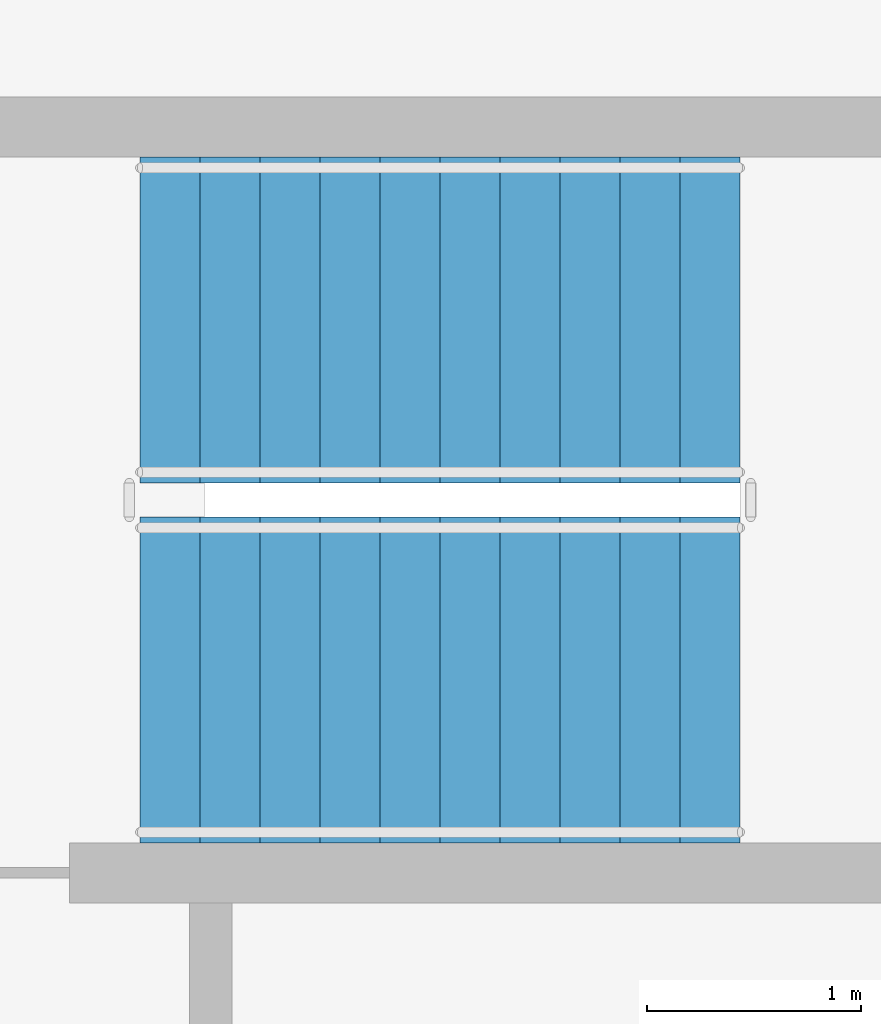
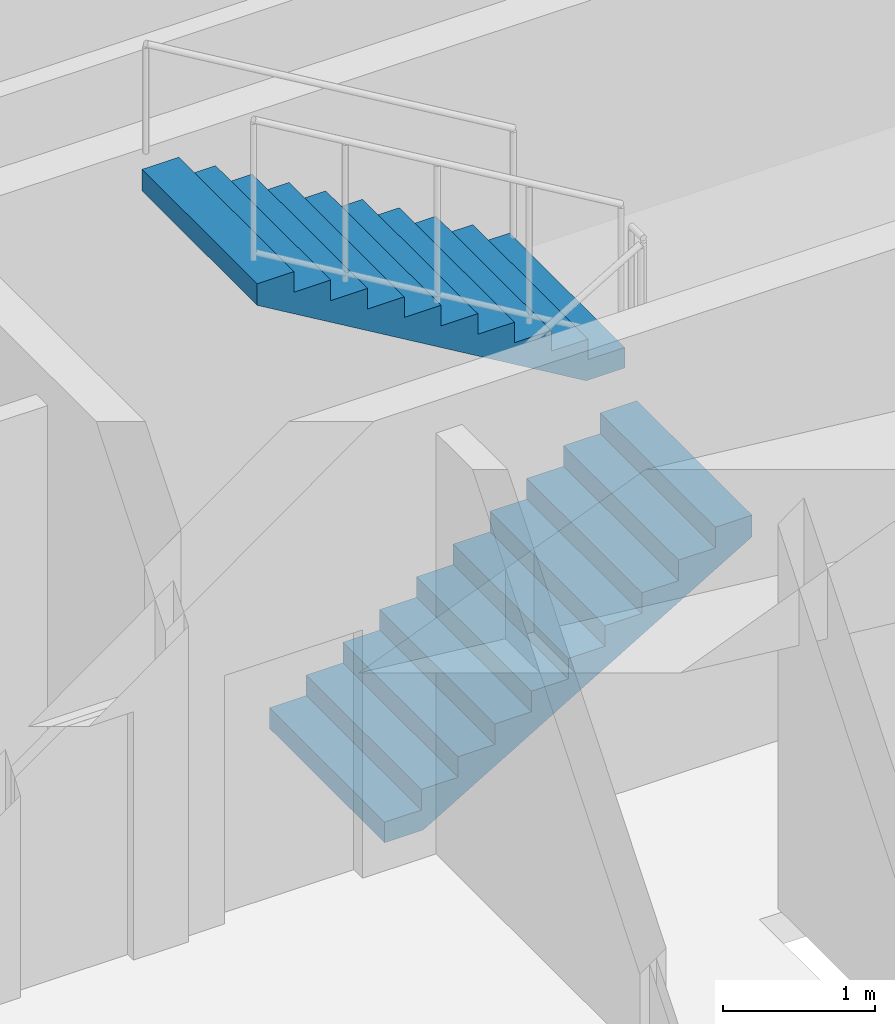
# One storey, part 6 of 8: 2 stair flights, 1 element without a shape of its own.
"""IFC4 building model written with IfcOpenShell, lengths in metres."""

from ifc_helpers import new_model, si_unit, direction, frame, origin, place, context, subcontext, project, spatial, polyline, outline, extrude, material, type_object, element, aggregate, save


model = new_model("IFC4")

# Units and contexts
model_context = context("Model", 3, precision=1e-05, world=origin(), true_north=direction((0.0, 1.0)))
body_context = subcontext(model_context, "Body", "Model", "MODEL_VIEW")
ifc_project = project(units=[si_unit("LENGTHUNIT", "METRE"), si_unit("AREAUNIT", "SQUARE_METRE"), si_unit("VOLUMEUNIT", "CUBIC_METRE"), si_unit("PLANEANGLEUNIT", "RADIAN"), si_unit("MASSUNIT", "GRAM", prefix="KILO"), si_unit("THERMODYNAMICTEMPERATUREUNIT", "KELVIN"), si_unit("POWERUNIT", "WATT")], contexts=[model_context])

# Site, building, storey
site_placement = place(None, origin())
site = spatial("IfcSite", under=ifc_project, at=site_placement, CompositionType="ELEMENT")
building_placement = place(site_placement, origin())
building = spatial("IfcBuilding", under=site, at=building_placement, Name="Skarre Station Tower", CompositionType="ELEMENT")
storey_placement = place(building_placement, frame((0.0, 0.0, 63.5)))
storey = spatial("IfcBuildingStorey", under=building, at=storey_placement, Name="L16", CompositionType="ELEMENT", Elevation=63.5)

# Stair, stair flights
ifc_material = material(Name="Concrete C40/50", Category="concrete")
stair_type = type_object("IfcStairType", Name="Reinforced Concrete Exit Stair ST-3", PredefinedType="HALF_TURN_STAIR", material=ifc_material)
stair_placement = place(storey_placement, origin())
stair = element("IfcStair", 1, at=stair_placement, inside=storey, type_object=stair_type, Name="L16 Core Exit Stair ST-3", PredefinedType="HALF_TURN_STAIR")
stair_flight_type = type_object("IfcStairFlightType", Name="Reinforced Concrete Stair Flight ST-3", PredefinedType="STRAIGHT", material=ifc_material)
stair_flight_1_placement = place(storey_placement, frame((23.35009765625, 32.260009765625, 0.0), z_axis=(0.0, 0.0, 1.0), x_axis=(1.0, 0.0, 0.0)))
stair_flight_1 = element("IfcStairFlight", 2, at=stair_flight_1_placement, type_object=stair_flight_type, Name="ST-3 flight 1", NumberOfRisers=11, NumberOfTreads=10, PredefinedType="STRAIGHT", RiserHeight=0.165909091, TreadLength=0.28, context=body_context, shape_type="SweptSolid", body=[
    extrude(outline(polyline([(0.0, 0.0), (0.0, 0.166015625), (0.280029296875, 0.166015625), (0.280029296875, 0.331787109375), (0.56005859375, 0.331787109375), (0.56005859375, 0.497802734375), (0.840087890625, 0.497802734375), (0.840087890625, 0.66357421875), (1.1201171875, 0.66357421875), (1.1201171875, 0.82958984375), (1.39990234375, 0.82958984375), (1.39990234375, 0.995361328125), (1.679931640625, 0.995361328125), (1.679931640625, 1.161376953125), (1.9599609375, 1.161376953125), (1.9599609375, 1.327392578125), (2.239990234375, 1.327392578125), (2.239990234375, 1.4931640625), (2.52001953125, 1.4931640625), (2.52001953125, 1.6591796875), (2.800048828125, 1.6591796875), (2.800048828125, 1.824951171875), (2.800048828125, 1.48486328125), (0.2939453125, 0.0), (0.0, 0.0)])), frame((0.0, 0.760009765625, 0.0), z_axis=(0.0, -1.0, 0.0), x_axis=(1.0, 0.0, 0.0)), (0.0, 0.0, 1.0), 1.52001953125),
])
stair_flight_2_placement = place(storey_placement, frame((26.14990234375, 33.93994140625, 1.824951171875), z_axis=(0.0, 0.0, 1.0), x_axis=(-1.0, 0.0, 0.0)))
stair_flight_2 = element("IfcStairFlight", 3, at=stair_flight_2_placement, type_object=stair_flight_type, Name="ST-3 flight 2", NumberOfRisers=11, NumberOfTreads=10, PredefinedType="STRAIGHT", RiserHeight=0.165909091, TreadLength=0.28, context=body_context, shape_type="SweptSolid", body=[
    extrude(outline(polyline([(0.0, 0.0), (0.0, 0.166015625), (0.280029296875, 0.166015625), (0.280029296875, 0.331787109375), (0.56005859375, 0.331787109375), (0.56005859375, 0.497802734375), (0.840087890625, 0.497802734375), (0.840087890625, 0.66357421875), (1.1201171875, 0.66357421875), (1.1201171875, 0.82958984375), (1.39990234375, 0.82958984375), (1.39990234375, 0.995361328125), (1.679931640625, 0.995361328125), (1.679931640625, 1.161376953125), (1.9599609375, 1.161376953125), (1.9599609375, 1.327392578125), (2.239990234375, 1.327392578125), (2.239990234375, 1.4931640625), (2.52001953125, 1.4931640625), (2.52001953125, 1.6591796875), (2.800048828125, 1.6591796875), (2.800048828125, 1.824951171875), (2.800048828125, 1.48486328125), (0.2939453125, 0.0), (0.0, 0.0)])), frame((0.0, 0.760009765625, 0.0), z_axis=(0.0, -1.0, 0.0), x_axis=(1.0, 0.0, 0.0)), (0.0, 0.0, 1.0), 1.52001953125),
])
aggregate(stair, [stair_flight_1, stair_flight_2])

save(model, "model.ifc")
